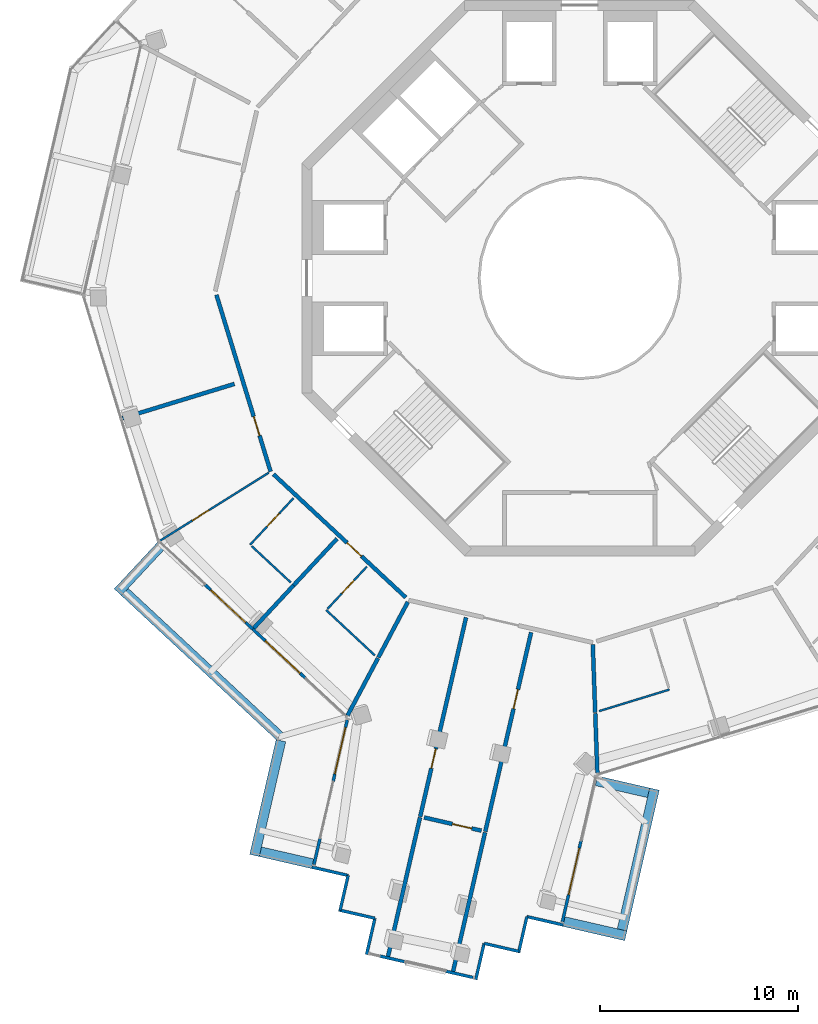
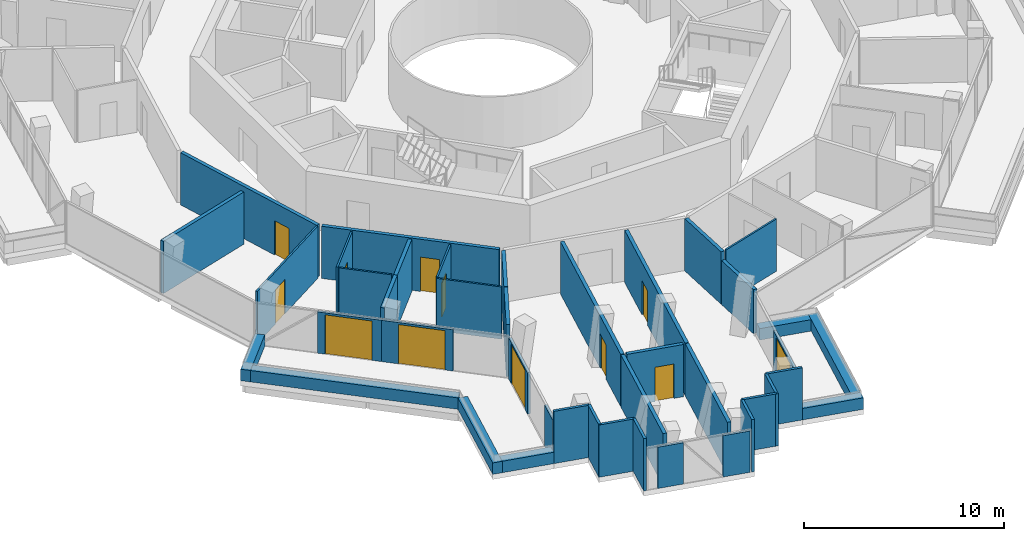
# One storey, part 14 of 21: 42 walls, 12 doors, 12 openings.
"""IFC4 building model written with IfcOpenShell, lengths in metres."""

from ifc_helpers import new_model, si_unit, direction, frame, frame_2d, origin, place, context, subcontext, project, spatial, rectangle, extrude, material, layer, layer_set, type_object, element, fill, save


model = new_model("IFC4")

# Units and contexts
model_context = context("Model", 3, precision=1e-05, world=origin(), true_north=direction((0.0, 1.0)))
body_context = subcontext(model_context, "Body", "Model", "MODEL_VIEW")
ifc_project = project(units=[si_unit("LENGTHUNIT", "METRE"), si_unit("AREAUNIT", "SQUARE_METRE"), si_unit("VOLUMEUNIT", "CUBIC_METRE"), si_unit("PLANEANGLEUNIT", "RADIAN"), si_unit("MASSUNIT", "GRAM", prefix="KILO")], contexts=[model_context])

# Site, building, storey
site_placement = place(None, origin())
site = spatial("IfcSite", under=ifc_project, at=site_placement, CompositionType="ELEMENT")
building_placement = place(site_placement, origin())
building = spatial("IfcBuilding", under=site, at=building_placement, Name="Verdalira Terraces Hotel", CompositionType="ELEMENT")
storey_placement = place(building_placement, frame((0.0, 0.0, 227.0)))
storey = spatial("IfcBuildingStorey", under=building, at=storey_placement, Name="L55", CompositionType="ELEMENT", Elevation=227.0)

# Walls
ifc_material_1 = material(Name="Concrete C40", Category="concrete")
ifc_layer_1 = layer(ifc_material_1, 0.5)
ifc_layer_set_1 = layer_set([ifc_layer_1], Name="Balcony planter trough with tree")
wall_type_1 = type_object("IfcWallType", Name="Balcony planter trough with tree", PredefinedType="SOLIDWALL", material=ifc_layer_set_1)
wall_1_placement = place(storey_placement, frame((-21.106445, -13.494385, 0.0), z_axis=(0.0, 0.0, 1.0), x_axis=(-0.681472097, -0.731844096, 0.0)))
element("IfcWall", 1, at=wall_1_placement, inside=storey, type_object=wall_type_1, Name="Balcony planter", PredefinedType="SOLIDWALL", context=body_context, shape_type="SweptSolid", body=[
    extrude(rectangle(XDim=3.198975, YDim=0.5, at=frame_2d((1.599609, 0.0))), origin(), (0.0, 0.0, 1.0), 0.699951),
])
wall_2_placement = place(storey_placement, frame((-22.933105, -15.822998, 0.0), z_axis=(0.0, 0.0, 1.0), x_axis=(0.731834456, -0.681482449, 0.0)))
element("IfcWall", 2, at=wall_2_placement, inside=storey, type_object=wall_type_1, Name="Balcony planter", PredefinedType="SOLIDWALL", context=body_context, shape_type="SweptSolid", body=[
    extrude(rectangle(XDim=10.652588, YDim=0.5, at=frame_2d((5.326172, 0.0))), origin(), (0.0, 0.0, 1.0), 0.699951),
])
wall_3_placement = place(storey_placement, frame((-15.063965, -23.321533, 0.0), z_axis=(0.0, 0.0, 1.0), x_axis=(-0.224279724, -0.97452481, 0.0)))
element("IfcWall", 3, at=wall_3_placement, inside=storey, type_object=wall_type_1, Name="Balcony planter", PredefinedType="SOLIDWALL", context=body_context, shape_type="SweptSolid", body=[
    extrude(rectangle(XDim=5.935791, YDim=0.5, at=frame_2d((2.967773, 0.0))), origin(), (0.0, 0.0, 1.0), 0.699951),
])
wall_4_placement = place(storey_placement, frame((-16.095703, -28.918701, 0.0), z_axis=(0.0, 0.0, 1.0), x_axis=(0.974535819, -0.224231882, 0.0)))
element("IfcWall", 4, at=wall_4_placement, inside=storey, type_object=wall_type_1, Name="Balcony planter", PredefinedType="SOLIDWALL", context=body_context, shape_type="SweptSolid", body=[
    extrude(rectangle(XDim=2.699219, YDim=0.5, at=frame_2d((1.349609, 0.0))), origin(), (0.0, 0.0, 1.0), 0.699951),
])
wall_5_placement = place(storey_placement, frame((-0.794678, -32.439941, 0.0), z_axis=(0.0, 0.0, 1.0), x_axis=(0.974523503, -0.224285401, 0.0)))
element("IfcWall", 5, at=wall_5_placement, inside=storey, type_object=wall_type_1, Name="Balcony planter", PredefinedType="SOLIDWALL", context=body_context, shape_type="SweptSolid", body=[
    extrude(rectangle(XDim=3.199219, YDim=0.5, at=frame_2d((1.599609, 0.0))), origin(), (0.0, 0.0, 1.0), 0.699951),
])
wall_6_placement = place(storey_placement, frame((2.135254, -32.857666, 0.0), z_axis=(0.0, 0.0, 1.0), x_axis=(0.22428172, 0.974524351, 0.0)))
element("IfcWall", 6, at=wall_6_placement, inside=storey, type_object=wall_type_1, Name="Balcony planter", PredefinedType="SOLIDWALL", context=body_context, shape_type="SweptSolid", body=[
    extrude(rectangle(XDim=7.283447, YDim=0.5, at=frame_2d((3.641602, 0.0))), origin(), (0.0, 0.0, 1.0), 0.699951),
])
wall_7_placement = place(storey_placement, frame((3.469238, -25.947266, 0.0), z_axis=(0.0, 0.0, 1.0), x_axis=(-0.974535819, 0.224231882, 0.0)))
element("IfcWall", 7, at=wall_7_placement, inside=storey, type_object=wall_type_1, Name="Balcony planter", PredefinedType="SOLIDWALL", context=body_context, shape_type="SweptSolid", body=[
    extrude(rectangle(XDim=2.699219, YDim=0.5, at=frame_2d((1.349609, 0.0))), origin(), (0.0, 0.0, 1.0), 0.699951),
])

# Wall, opening, door
ifc_material_2 = material(Name="Moisture-resistant gypsum board partition")
ifc_layer_2 = layer(ifc_material_2, 0.10009765625)
ifc_layer_set_2 = layer_set([ifc_layer_2], Name="Bathroom partition 100 mm")
wall_type_2 = type_object("IfcWallType", Name="Bathroom partition 100 mm", PredefinedType="PARTITIONING", material=ifc_layer_set_2)
wall_8_placement = place(storey_placement, frame((-15.672119, -9.80835, 0.0), z_axis=(0.0, 0.0, 1.0), x_axis=(-0.847695291, -0.530483453, 0.0)))
wall_8 = element("IfcWall", 8, at=wall_8_placement, inside=storey, type_object=wall_type_2, Name="Bathroom partition", PredefinedType="PARTITIONING", context=body_context, shape_type="SweptSolid", body=[
    extrude(rectangle(XDim=6.47583, YDim=0.100098, at=frame_2d((3.237793, 0.0))), origin(), (0.0, 0.0, 1.0), 3.189941),
])
opening_1_placement = place(wall_8_placement, frame((3.550049, 0.0, 0.0)))
opening_1 = element("IfcOpeningElement", 9, at=opening_1_placement, cuts=wall_8, Name="Opening L55-107", PredefinedType="OPENING", context=body_context, shape_type="SweptSolid", body=[
    extrude(rectangle(XDim=1.0, YDim=2.100098, at=frame_2d((0.5, 1.050049))), frame((0.0, 0.060059, 0.0), z_axis=(0.0, -1.0, 0.0), x_axis=(1.0, 0.0, 0.0)), (0.0, 0.0, 1.0), 0.120117),
])
ifc_material_3 = material(Name="Timber door", Category="wood")
door_type_1 = type_object("IfcDoorType", Name="Suite internal door 1000 x 2100", OperationType="NOTDEFINED", PredefinedType="DOOR", material=ifc_material_3)
door_1_placement = place(opening_1_placement, origin())
door_1 = element("IfcDoor", 10, at=door_1_placement, inside=storey, type_object=door_type_1, Name="Suite internal door 5503", OperationType="SINGLE_SWING_LEFT", OverallHeight=2.10009765625, OverallWidth=1.0, PredefinedType="DOOR", context=body_context, shape_type="SweptSolid", body=[
    extrude(rectangle(XDim=1.0, YDim=2.100098, at=frame_2d((0.5, 1.050049))), frame((0.0, 0.024902, 0.0), z_axis=(0.0, -1.0, 0.0), x_axis=(1.0, 0.0, 0.0)), (0.0, 0.0, 1.0), 0.050049),
])
fill(opening_1, door_1)

# Wall
wall_9_placement = place(storey_placement, frame((-16.541504, -13.508057, 0.0), z_axis=(0.0, 0.0, 1.0), x_axis=(0.731884644, -0.681428549, 0.0)))
element("IfcWall", 11, at=wall_9_placement, inside=storey, type_object=wall_type_2, Name="Bathroom partition", PredefinedType="PARTITIONING", context=body_context, shape_type="SweptSolid", body=[
    extrude(rectangle(XDim=2.699951, YDim=0.100098, at=frame_2d((1.350098, 0.0))), origin(), (0.0, 0.0, 1.0), 3.189941),
])

# Wall, opening, door
wall_10_placement = place(storey_placement, frame((-14.433838, -11.0979, 0.0), z_axis=(0.0, 0.0, 1.0), x_axis=(-0.681480535, -0.731836239, 0.0)))
wall_10 = element("IfcWall", 12, at=wall_10_placement, inside=storey, type_object=wall_type_2, Name="Bathroom partition", PredefinedType="PARTITIONING", context=body_context, shape_type="SweptSolid", body=[
    extrude(rectangle(XDim=3.199951, YDim=0.100098, at=frame_2d((1.600098, 0.0))), origin(), (0.0, 0.0, 1.0), 3.189941),
])
opening_2_placement = place(wall_10_placement, frame((1.050049, 0.0, 0.0)))
opening_2 = element("IfcOpeningElement", 13, at=opening_2_placement, cuts=wall_10, Name="Opening L55-108", PredefinedType="OPENING", context=body_context, shape_type="SweptSolid", body=[
    extrude(rectangle(XDim=0.899902, YDim=2.100098, at=frame_2d((0.449951, 1.050049))), frame((0.0, 0.060059, 0.0), z_axis=(0.0, -1.0, 0.0), x_axis=(1.0, 0.0, 0.0)), (0.0, 0.0, 1.0), 0.120117),
])
ifc_material_4 = material(Name="Timber door", Category="wood")
door_type_2 = type_object("IfcDoorType", Name="Bathroom door 900 x 2100", OperationType="NOTDEFINED", PredefinedType="DOOR", material=ifc_material_4)
door_2_placement = place(opening_2_placement, origin())
door_2 = element("IfcDoor", 14, at=door_2_placement, inside=storey, type_object=door_type_2, Name="Bathroom door 5503", OperationType="SINGLE_SWING_RIGHT", OverallHeight=2.10009765625, OverallWidth=0.89990234375, PredefinedType="DOOR", context=body_context, shape_type="SweptSolid", body=[
    extrude(rectangle(XDim=0.899902, YDim=2.100098, at=frame_2d((0.449951, 1.050049))), frame((0.0, 0.024902, 0.0), z_axis=(0.0, -1.0, 0.0), x_axis=(1.0, 0.0, 0.0)), (0.0, 0.0, 1.0), 0.050049),
])
fill(opening_2, door_2)

wall_11_placement = place(storey_placement, frame((-10.731934, -14.545166, 0.0), z_axis=(0.0, 0.0, 1.0), x_axis=(-0.681486946, -0.731830269, 0.0)))
wall_11 = element("IfcWall", 15, at=wall_11_placement, inside=storey, type_object=wall_type_2, Name="Bathroom partition", PredefinedType="PARTITIONING", context=body_context, shape_type="SweptSolid", body=[
    extrude(rectangle(XDim=2.899902, YDim=0.100098, at=frame_2d((1.449951, 0.0))), origin(), (0.0, 0.0, 1.0), 3.189941),
])
opening_3_placement = place(wall_11_placement, frame((0.949951, 0.0, 0.0)))
opening_3 = element("IfcOpeningElement", 16, at=opening_3_placement, cuts=wall_11, Name="Opening L55-110", PredefinedType="OPENING", context=body_context, shape_type="SweptSolid", body=[
    extrude(rectangle(XDim=0.899902, YDim=2.100098, at=frame_2d((0.449951, 1.050049))), frame((0.0, 0.060059, 0.0), z_axis=(0.0, -1.0, 0.0), x_axis=(1.0, 0.0, 0.0)), (0.0, 0.0, 1.0), 0.120117),
])
door_3_placement = place(opening_3_placement, origin())
door_3 = element("IfcDoor", 17, at=door_3_placement, inside=storey, type_object=door_type_2, Name="Bathroom door 5504", OperationType="SINGLE_SWING_RIGHT", OverallHeight=2.10009765625, OverallWidth=0.89990234375, PredefinedType="DOOR", context=body_context, shape_type="SweptSolid", body=[
    extrude(rectangle(XDim=0.899902, YDim=2.100098, at=frame_2d((0.449951, 1.050049))), frame((0.0, 0.024902, 0.0), z_axis=(0.0, -1.0, 0.0), x_axis=(1.0, 0.0, 0.0)), (0.0, 0.0, 1.0), 0.050049),
])
fill(opening_3, door_3)

# Walls
wall_12_placement = place(storey_placement, frame((-10.324707, -19.023926, 0.0), z_axis=(0.0, 0.0, 1.0), x_axis=(-0.731835072, 0.681481788, 0.0)))
element("IfcWall", 18, at=wall_12_placement, inside=storey, type_object=wall_type_2, Name="Bathroom partition", PredefinedType="PARTITIONING", context=body_context, shape_type="SweptSolid", body=[
    extrude(rectangle(XDim=3.350342, YDim=0.100098, at=frame_2d((1.675293, 0.0))), origin(), (0.0, 0.0, 1.0), 3.189941),
])
wall_13_placement = place(storey_placement, frame((0.977783, -21.830078, 0.0), z_axis=(0.0, 0.0, 1.0), x_axis=(0.956094847, 0.293057407, 0.0)))
element("IfcWall", 19, at=wall_13_placement, inside=storey, type_object=wall_type_2, Name="Bathroom partition", PredefinedType="PARTITIONING", context=body_context, shape_type="SweptSolid", body=[
    extrude(rectangle(XDim=3.703857, YDim=0.100098, at=frame_2d((1.852051, 0.0))), origin(), (0.0, 0.0, 1.0), 3.189941),
])
ifc_material_5 = material(Name="Fire-rated gypsum board wall")
ifc_layer_3 = layer(ifc_material_5, 0.199951171875)
ifc_layer_set_3 = layer_set([ifc_layer_3], Name="Demising wall 200 mm")
wall_type_3 = type_object("IfcWallType", Name="Demising wall 200 mm", PredefinedType="SOLIDWALL", material=ifc_layer_set_3)
wall_14_placement = place(storey_placement, frame((-17.406494, -5.334961, 0.0), z_axis=(0.0, 0.0, 1.0), x_axis=(-0.956095937, -0.293053849, 0.0)))
element("IfcWall", 20, at=wall_14_placement, inside=storey, type_object=wall_type_3, Name="Demising wall", PredefinedType="SOLIDWALL", context=body_context, shape_type="SweptSolid", body=[
    extrude(rectangle(XDim=5.902344, YDim=0.199951, at=frame_2d((2.951172, 0.0))), origin(), (0.0, 0.0, 1.0), 3.189941),
])
wall_15_placement = place(storey_placement, frame((-14.419189, -15.484375, 0.0), z_axis=(0.0, 0.0, 1.0), x_axis=(-0.681456745, -0.731858391, 0.0)))
element("IfcWall", 21, at=wall_15_placement, inside=storey, type_object=wall_type_3, Name="Demising wall", PredefinedType="SOLIDWALL", context=body_context, shape_type="SweptSolid", body=[
    extrude(rectangle(XDim=2.949951, YDim=0.199951, at=frame_2d((1.475098, 0.0))), origin(), (0.0, 0.0, 1.0), 3.189941),
])
wall_16_placement = place(storey_placement, frame((-12.238281, -13.142334, 0.0), z_axis=(0.0, 0.0, 1.0), x_axis=(-0.681483346, -0.731833621, 0.0)))
element("IfcWall", 22, at=wall_16_placement, inside=storey, type_object=wall_type_3, Name="Demising wall", PredefinedType="SOLIDWALL", context=body_context, shape_type="SweptSolid", body=[
    extrude(rectangle(XDim=3.200195, YDim=0.199951, at=frame_2d((1.600098, 0.0))), origin(), (0.0, 0.0, 1.0), 3.189941),
])
wall_17_placement = place(storey_placement, frame((-11.70459, -22.050049, 0.0), z_axis=(0.0, 0.0, 1.0), x_axis=(0.468862108, 0.883271376, 0.0)))
element("IfcWall", 23, at=wall_17_placement, inside=storey, type_object=wall_type_3, Name="Demising wall", PredefinedType="SOLIDWALL", context=body_context, shape_type="SweptSolid", body=[
    extrude(rectangle(XDim=3.268555, YDim=0.199951, at=frame_2d((1.634277, 0.0))), origin(), (0.0, 0.0, 1.0), 3.189941),
])
wall_18_placement = place(storey_placement, frame((-10.150635, -19.122559, 0.0), z_axis=(0.0, 0.0, 1.0), x_axis=(0.468919942, 0.883240674, 0.0)))
element("IfcWall", 24, at=wall_18_placement, inside=storey, type_object=wall_type_3, Name="Demising wall", PredefinedType="SOLIDWALL", context=body_context, shape_type="SweptSolid", body=[
    extrude(rectangle(XDim=3.161377, YDim=0.199951, at=frame_2d((1.580566, 0.0))), origin(), (0.0, 0.0, 1.0), 3.189941),
])
wall_19_placement = place(storey_placement, frame((-8.052002, -27.193115, 0.0), z_axis=(0.0, 0.0, 1.0), x_axis=(-0.224273862, -0.974526159, 0.0)))
element("IfcWall", 25, at=wall_19_placement, inside=storey, type_object=wall_type_3, Name="Demising wall", PredefinedType="SOLIDWALL", context=body_context, shape_type="SweptSolid", body=[
    extrude(rectangle(XDim=7.185791, YDim=0.199951, at=frame_2d((3.592773, 0.0))), origin(), (0.0, 0.0, 1.0), 3.189941),
])

# Wall, opening, door
wall_20_placement = place(storey_placement, frame((-8.041748, -27.148438, 0.0), z_axis=(0.0, 0.0, 1.0), x_axis=(0.224281387, 0.974524427, 0.0)))
wall_20 = element("IfcWall", 26, at=wall_20_placement, inside=storey, type_object=wall_type_3, Name="Demising wall", PredefinedType="SOLIDWALL", context=body_context, shape_type="SweptSolid", body=[
    extrude(rectangle(XDim=10.302002, YDim=0.199951, at=frame_2d((5.150879, 0.0))), origin(), (0.0, 0.0, 1.0), 3.189941),
])
opening_4_placement = place(wall_20_placement, frame((2.5, 0.0, 0.0)))
opening_4 = element("IfcOpeningElement", 27, at=opening_4_placement, cuts=wall_20, Name="Opening L55-112", PredefinedType="OPENING", context=body_context, shape_type="SweptSolid", body=[
    extrude(rectangle(XDim=1.0, YDim=2.100098, at=frame_2d((0.5, 1.050049))), frame((0.0, 0.109863, 0.0), z_axis=(0.0, -1.0, 0.0), x_axis=(1.0, 0.0, 0.0)), (0.0, 0.0, 1.0), 0.219971),
])
ifc_material_6 = material(Name="Timber fire door", Category="wood")
door_type_3 = type_object("IfcDoorType", Name="Public room door 1000 x 2100", OperationType="NOTDEFINED", PredefinedType="DOOR", material=ifc_material_6)
door_4_placement = place(opening_4_placement, origin())
door_4 = element("IfcDoor", 28, at=door_4_placement, inside=storey, type_object=door_type_3, Name="Public room door 5505", OperationType="SINGLE_SWING_LEFT", OverallHeight=2.10009765625, OverallWidth=1.0, PredefinedType="DOOR", context=body_context, shape_type="SweptSolid", body=[
    extrude(rectangle(XDim=1.0, YDim=2.100098, at=frame_2d((0.5, 1.050049))), frame((0.0, 0.024902, 0.0), z_axis=(0.0, -1.0, 0.0), x_axis=(1.0, 0.0, 0.0)), (0.0, 0.0, 1.0), 0.050049),
])
fill(opening_4, door_4)

wall_21_placement = place(storey_placement, frame((-4.956787, -27.856201, 0.0), z_axis=(0.0, 0.0, 1.0), x_axis=(-0.974538096, 0.224221989, 0.0)))
wall_21 = element("IfcWall", 29, at=wall_21_placement, inside=storey, type_object=wall_type_3, Name="Demising wall", PredefinedType="SOLIDWALL", context=body_context, shape_type="SweptSolid", body=[
    extrude(rectangle(XDim=2.964844, YDim=0.199951, at=frame_2d((1.482422, 0.0))), origin(), (0.0, 0.0, 1.0), 3.189941),
])
opening_5_placement = place(wall_21_placement, frame((0.5, 0.0, 0.0)))
opening_5 = element("IfcOpeningElement", 30, at=opening_5_placement, cuts=wall_21, Name="Opening L55-114", PredefinedType="OPENING", context=body_context, shape_type="SweptSolid", body=[
    extrude(rectangle(XDim=1.0, YDim=2.100098, at=frame_2d((0.5, 1.050049))), frame((0.0, 0.109863, 0.0), z_axis=(0.0, -1.0, 0.0), x_axis=(1.0, 0.0, 0.0)), (0.0, 0.0, 1.0), 0.219971),
])
door_5_placement = place(opening_5_placement, origin())
door_5 = element("IfcDoor", 31, at=door_5_placement, inside=storey, type_object=door_type_3, Name="Public room door 5505", OperationType="SINGLE_SWING_LEFT", OverallHeight=2.10009765625, OverallWidth=1.0, PredefinedType="DOOR", context=body_context, shape_type="SweptSolid", body=[
    extrude(rectangle(XDim=1.0, YDim=2.100098, at=frame_2d((0.5, 1.050049))), frame((0.0, 0.024902, 0.0), z_axis=(0.0, -1.0, 0.0), x_axis=(1.0, 0.0, 0.0)), (0.0, 0.0, 1.0), 0.050049),
])
fill(opening_5, door_5)

# Wall
wall_22_placement = place(storey_placement, frame((-6.384277, -34.950439, 0.0), z_axis=(0.0, 0.0, 1.0), x_axis=(0.224281288, 0.97452445, 0.0)))
element("IfcWall", 32, at=wall_22_placement, inside=storey, type_object=wall_type_3, Name="Demising wall", PredefinedType="SOLIDWALL", context=body_context, shape_type="SweptSolid", body=[
    extrude(rectangle(XDim=7.185547, YDim=0.199951, at=frame_2d((3.592773, 0.0))), origin(), (0.0, 0.0, 1.0), 3.189941),
])

# Wall, opening, door
wall_23_placement = place(storey_placement, frame((-2.451904, -17.863525, 0.0), z_axis=(0.0, 0.0, 1.0), x_axis=(-0.224281387, -0.974524427, 0.0)))
wall_23 = element("IfcWall", 33, at=wall_23_placement, inside=storey, type_object=wall_type_3, Name="Demising wall", PredefinedType="SOLIDWALL", context=body_context, shape_type="SweptSolid", body=[
    extrude(rectangle(XDim=10.302002, YDim=0.199951, at=frame_2d((5.150879, 0.0))), origin(), (0.0, 0.0, 1.0), 3.189941),
])
opening_6_placement = place(wall_23_placement, frame((2.949951, 0.0, 0.0)))
opening_6 = element("IfcOpeningElement", 34, at=opening_6_placement, cuts=wall_23, Name="Opening L55-113", PredefinedType="OPENING", context=body_context, shape_type="SweptSolid", body=[
    extrude(rectangle(XDim=1.0, YDim=2.100098, at=frame_2d((0.5, 1.050049))), frame((0.0, 0.109863, 0.0), z_axis=(0.0, -1.0, 0.0), x_axis=(1.0, 0.0, 0.0)), (0.0, 0.0, 1.0), 0.219971),
])
door_6_placement = place(opening_6_placement, origin())
door_6 = element("IfcDoor", 35, at=door_6_placement, inside=storey, type_object=door_type_3, Name="Public room door 5505", OperationType="SINGLE_SWING_LEFT", OverallHeight=2.10009765625, OverallWidth=1.0, PredefinedType="DOOR", context=body_context, shape_type="SweptSolid", body=[
    extrude(rectangle(XDim=1.0, YDim=2.100098, at=frame_2d((0.5, 1.050049))), frame((0.0, 0.024902, 0.0), z_axis=(0.0, -1.0, 0.0), x_axis=(1.0, 0.0, 0.0)), (0.0, 0.0, 1.0), 0.050049),
])
fill(opening_6, door_6)

# Walls
wall_24_placement = place(storey_placement, frame((0.658203, -18.476562, 0.0), z_axis=(0.0, 0.0, 1.0), x_axis=(0.035566706, -0.999367305, 0.0)))
element("IfcWall", 36, at=wall_24_placement, inside=storey, type_object=wall_type_3, Name="Demising wall", PredefinedType="SOLIDWALL", context=body_context, shape_type="SweptSolid", body=[
    extrude(rectangle(XDim=3.418457, YDim=0.199951, at=frame_2d((1.709229, 0.0))), origin(), (0.0, 0.0, 1.0), 3.189941),
])
ifc_material_7 = material(Name="Fire-rated gypsum board wall")
ifc_layer_4 = layer(ifc_material_7, 0.199951171875)
ifc_layer_set_4 = layer_set([ifc_layer_4], Name="Demising wall 200 mm to beam soffit")
wall_type_4 = type_object("IfcWallType", Name="Demising wall 200 mm to beam soffit", PredefinedType="SOLIDWALL", material=ifc_layer_set_4)
wall_25_placement = place(storey_placement, frame((0.781494, -21.938721, 0.0), z_axis=(0.0, 0.0, 1.0), x_axis=(0.03559032, -0.999366464, 0.0)))
element("IfcWall", 37, at=wall_25_placement, inside=storey, type_object=wall_type_4, Name="Demising wall", PredefinedType="SOLIDWALL", context=body_context, shape_type="SweptSolid", body=[
    extrude(rectangle(XDim=3.011475, YDim=0.199951, at=frame_2d((1.505859, 0.0))), origin(), (0.0, 0.0, 1.0), 2.689941),
])

# Wall, opening, door
ifc_material_8 = material(Name="Fire-rated gypsum board wall")
ifc_layer_5 = layer(ifc_material_8, 0.199951171875)
ifc_layer_set_5 = layer_set([ifc_layer_5], Name="Guest corridor wall 200 mm")
wall_type_5 = type_object("IfcWallType", Name="Guest corridor wall 200 mm", PredefinedType="SOLIDWALL", material=ifc_layer_set_5)
wall_26_placement = place(storey_placement, frame((-15.584473, -9.753418, 0.0), z_axis=(0.0, 0.0, 1.0), x_axis=(-0.293036013, 0.956101404, 0.0)))
wall_26 = element("IfcWall", 38, at=wall_26_placement, inside=storey, type_object=wall_type_5, Name="Guest corridor wall", PredefinedType="SOLIDWALL", context=body_context, shape_type="SweptSolid", body=[
    extrude(rectangle(XDim=9.316162, YDim=0.199951, at=frame_2d((4.658203, 0.0))), origin(), (0.0, 0.0, 1.0), 3.189941),
])
opening_7_placement = place(wall_26_placement, frame((1.899902, 0.0, 0.0)))
opening_7 = element("IfcOpeningElement", 39, at=opening_7_placement, cuts=wall_26, Name="Opening L55-106", PredefinedType="OPENING", context=body_context, shape_type="SweptSolid", body=[
    extrude(rectangle(XDim=1.0, YDim=2.100098, at=frame_2d((0.5, 1.050049))), frame((0.0, 0.109863, 0.0), z_axis=(0.0, -1.0, 0.0), x_axis=(1.0, 0.0, 0.0)), (0.0, 0.0, 1.0), 0.219971),
])
ifc_material_9 = material(Name="Timber fire door", Category="wood")
door_type_4 = type_object("IfcDoorType", Name="Guest entry door 1000 x 2100", OperationType="NOTDEFINED", PredefinedType="DOOR", material=ifc_material_9)
door_7_placement = place(opening_7_placement, origin())
door_7 = element("IfcDoor", 40, at=door_7_placement, inside=storey, type_object=door_type_4, Name="Guest entry door 5503", OperationType="SINGLE_SWING_LEFT", OverallHeight=2.10009765625, OverallWidth=1.0, PredefinedType="DOOR", context=body_context, shape_type="SweptSolid", body=[
    extrude(rectangle(XDim=1.0, YDim=2.100098, at=frame_2d((0.5, 1.050049))), frame((0.0, 0.024902, 0.0), z_axis=(0.0, -1.0, 0.0), x_axis=(1.0, 0.0, 0.0)), (0.0, 0.0, 1.0), 0.050049),
])
fill(opening_7, door_7)

wall_27_placement = place(storey_placement, frame((-8.766113, -16.102539, 0.0), z_axis=(0.0, 0.0, 1.0), x_axis=(-0.731831338, 0.681485798, 0.0)))
wall_27 = element("IfcWall", 41, at=wall_27_placement, inside=storey, type_object=wall_type_5, Name="Guest corridor wall", PredefinedType="SOLIDWALL", context=body_context, shape_type="SweptSolid", body=[
    extrude(rectangle(XDim=9.116699, YDim=0.199951, at=frame_2d((4.55835, 0.0))), origin(), (0.0, 0.0, 1.0), 3.189941),
])
opening_8_placement = place(wall_27_placement, frame((3.050049, 0.0, 0.0)))
opening_8 = element("IfcOpeningElement", 42, at=opening_8_placement, cuts=wall_27, Name="Opening L55-109", PredefinedType="OPENING", context=body_context, shape_type="SweptSolid", body=[
    extrude(rectangle(XDim=1.0, YDim=2.100098, at=frame_2d((0.5, 1.050049))), frame((0.0, 0.109863, 0.0), z_axis=(0.0, -1.0, 0.0), x_axis=(1.0, 0.0, 0.0)), (0.0, 0.0, 1.0), 0.219971),
])
door_8_placement = place(opening_8_placement, origin())
door_8 = element("IfcDoor", 43, at=door_8_placement, inside=storey, type_object=door_type_4, Name="Guest entry door 5504", OperationType="SINGLE_SWING_RIGHT", OverallHeight=2.10009765625, OverallWidth=1.0, PredefinedType="DOOR", context=body_context, shape_type="SweptSolid", body=[
    extrude(rectangle(XDim=1.0, YDim=2.100098, at=frame_2d((0.5, 1.050049))), frame((0.0, 0.024902, 0.0), z_axis=(0.0, -1.0, 0.0), x_axis=(1.0, 0.0, 0.0)), (0.0, 0.0, 1.0), 0.050049),
])
fill(opening_8, door_8)

# Walls
ifc_material_10 = material(Name="Terracotta cladding", Category="masonry")
ifc_layer_6 = layer(ifc_material_10, 0.14990234375)
ifc_layer_set_6 = layer_set([ifc_layer_6], Name="Terracotta clad wall 150")
wall_type_6 = type_object("IfcWallType", Name="Terracotta clad wall 150", PredefinedType="SOLIDWALL", material=ifc_layer_set_6)
wall_28_placement = place(storey_placement, frame((-13.503662, -29.694824, 0.0), z_axis=(0.0, 0.0, 1.0), x_axis=(0.97453584, -0.22423179, 0.0)))
element("IfcWall", 44, at=wall_28_placement, inside=storey, type_object=wall_type_6, Name="Terracotta cladding wall", PredefinedType="SOLIDWALL", context=body_context, shape_type="SweptSolid", body=[
    extrude(rectangle(XDim=1.875, YDim=0.149902, at=frame_2d((0.9375, 0.0))), origin(), (0.0, 0.0, 1.0), 3.189941),
])
wall_29_placement = place(storey_placement, frame((-11.676514, -30.115234, 0.0), z_axis=(0.0, 0.0, 1.0), x_axis=(-0.224205662, -0.974541852, 0.0)))
element("IfcWall", 45, at=wall_29_placement, inside=storey, type_object=wall_type_6, Name="Terracotta cladding wall", PredefinedType="SOLIDWALL", context=body_context, shape_type="SweptSolid", body=[
    extrude(rectangle(XDim=1.800049, YDim=0.149902, at=frame_2d((0.899902, 0.0))), origin(), (0.0, 0.0, 1.0), 3.189941),
])
for number, where, z_axis, x_axis, name in (
    (46, (-12.153076, -31.852539, 0.0), (0.0, 0.0, 1.0), (0.974507378, -0.224355453, 0.0), "Terracotta cladding wall"),
    (47, (-10.325928, -32.273193, 0.0), (0.0, 0.0, 1.0), (-0.224355453, -0.974507378, 0.0), "Terracotta cladding wall"),
    (48, (-5.240479, -35.367432, 0.0), (0.0, 0.0, 1.0), (0.224355453, 0.974507378, 0.0), "Terracotta cladding wall"),
):
    element("IfcWall", number, at=place(storey_placement, frame(where, z_axis=z_axis, x_axis=x_axis)), inside=storey, type_object=wall_type_6, Name=name, PredefinedType="SOLIDWALL", context=body_context, shape_type="SweptSolid", body=[
        extrude(rectangle(XDim=1.875, YDim=0.149902, at=frame_2d((0.9375, 0.0))), origin(), (0.0, 0.0, 1.0), 3.189941),
    ])
wall_30_placement = place(storey_placement, frame((-4.819824, -33.540283, 0.0), z_axis=(0.0, 0.0, 1.0), x_axis=(0.974541852, -0.224205662, 0.0)))
element("IfcWall", 49, at=wall_30_placement, inside=storey, type_object=wall_type_6, Name="Terracotta cladding wall", PredefinedType="SOLIDWALL", context=body_context, shape_type="SweptSolid", body=[
    extrude(rectangle(XDim=1.800049, YDim=0.149902, at=frame_2d((0.899902, 0.0))), origin(), (0.0, 0.0, 1.0), 3.189941),
])
for number, where, z_axis, x_axis, name in (
    (50, (-3.08252, -34.01709, 0.0), (0.0, 0.0, 1.0), (0.224203339, 0.974542386, 0.0), "Terracotta cladding wall"),
    (51, (-2.662109, -32.189697, 0.0), (0.0, 0.0, 1.0), (0.974513931, -0.224326988, 0.0), "Terracotta cladding wall"),
):
    element("IfcWall", number, at=place(storey_placement, frame(where, z_axis=z_axis, x_axis=x_axis)), inside=storey, type_object=wall_type_6, Name=name, PredefinedType="SOLIDWALL", context=body_context, shape_type="SweptSolid", body=[
        extrude(rectangle(XDim=1.875244, YDim=0.149902, at=frame_2d((0.9375, 0.0))), origin(), (0.0, 0.0, 1.0), 3.189941),
    ])
ifc_material_11 = material(Name="Terracotta cladding", Category="masonry")
ifc_layer_7 = layer(ifc_material_11, 0.14990234375)
ifc_layer_set_7 = layer_set([ifc_layer_7], Name="Terracotta column pier 150")
wall_type_7 = type_object("IfcWallType", Name="Terracotta column pier 150", PredefinedType="SOLIDWALL", material=ifc_layer_set_7)
wall_31_placement = place(storey_placement, frame((-13.088623, -28.225342, 0.0), z_axis=(0.0, 0.0, 1.0), x_axis=(-0.224135932, -0.974557892, 0.0)))
element("IfcWall", 52, at=wall_31_placement, inside=storey, type_object=wall_type_7, Name="Terracotta column pier", PredefinedType="SOLIDWALL", context=body_context, shape_type="SweptSolid", body=[
    extrude(rectangle(XDim=1.380127, YDim=0.149902, at=frame_2d((0.689941, 0.0))), origin(), (0.0, 0.0, 1.0), 2.524902),
])
wall_32_placement = place(storey_placement, frame((-10.081543, -34.176514, 0.0), z_axis=(0.0, 0.0, 1.0), x_axis=(0.974532807, -0.224244974, 0.0)))
element("IfcWall", 53, at=wall_32_placement, inside=storey, type_object=wall_type_7, Name="Terracotta column pier", PredefinedType="SOLIDWALL", context=body_context, shape_type="SweptSolid", body=[
    extrude(rectangle(XDim=1.334717, YDim=0.149902, at=frame_2d((0.66748, 0.0))), origin(), (0.0, 0.0, 1.0), 2.524902),
])
wall_33_placement = place(storey_placement, frame((-6.748779, -34.943359, 0.0), z_axis=(0.0, 0.0, 1.0), x_axis=(0.974504865, -0.224366371, 0.0)))
element("IfcWall", 54, at=wall_33_placement, inside=storey, type_object=wall_type_7, Name="Terracotta column pier", PredefinedType="SOLIDWALL", context=body_context, shape_type="SweptSolid", body=[
    extrude(rectangle(XDim=1.410156, YDim=0.149902, at=frame_2d((0.705078, 0.0))), origin(), (0.0, 0.0, 1.0), 2.524902),
])

# Wall, opening, door
ifc_material_12 = material(Name="Terracotta cladding", Category="masonry")
ifc_layer_8 = layer(ifc_material_12, 0.14990234375)
ifc_layer_set_8 = layer_set([ifc_layer_8], Name="Terracotta door pier 150")
wall_type_8 = type_object("IfcWallType", Name="Terracotta door pier 150", PredefinedType="SOLIDWALL", material=ifc_layer_set_8)
wall_34_placement = place(storey_placement, frame((-18.895752, -15.449219, 0.0), z_axis=(0.0, 0.0, 1.0), x_axis=(0.731849441, -0.681466357, 0.0)))
wall_34 = element("IfcWall", 55, at=wall_34_placement, inside=storey, type_object=wall_type_8, Name="Terracotta door pier", PredefinedType="SOLIDWALL", context=body_context, shape_type="SweptSolid", body=[
    extrude(rectangle(XDim=3.299805, YDim=0.149902, at=frame_2d((1.649902, 0.0))), origin(), (0.0, 0.0, 1.0), 2.524902),
])
opening_9_placement = place(wall_34_placement, frame((0.399902, 0.0, 0.0)))
opening_9 = element("IfcOpeningElement", 56, at=opening_9_placement, cuts=wall_34, Name="Opening L55-B04", PredefinedType="OPENING", context=body_context, shape_type="SweptSolid", body=[
    extrude(rectangle(XDim=2.399902, YDim=2.399902, at=frame_2d((1.199951, 1.199951))), frame((0.0, 0.084961, 0.0), z_axis=(0.0, -1.0, 0.0), x_axis=(1.0, 0.0, 0.0)), (0.0, 0.0, 1.0), 0.169922),
])
ifc_material_13 = material(Name="Clear glass", Category="glass")
door_type_5 = type_object("IfcDoorType", Name="Balcony sliding door 2400x2400", OperationType="NOTDEFINED", PredefinedType="DOOR", material=ifc_material_13)
door_9_placement = place(opening_9_placement, origin())
door_9 = element("IfcDoor", 57, at=door_9_placement, inside=storey, type_object=door_type_5, Name="Balcony sliding door", OperationType="SLIDING_TO_RIGHT", OverallHeight=2.39990234375, OverallWidth=2.39990234375, PredefinedType="DOOR", context=body_context, shape_type="SweptSolid", body=[
    extrude(rectangle(XDim=2.399902, YDim=2.399902, at=frame_2d((1.199951, 1.199951))), frame((0.0, 0.024902, 0.0), z_axis=(0.0, -1.0, 0.0), x_axis=(1.0, 0.0, 0.0)), (0.0, 0.0, 1.0), 0.050049),
])
fill(opening_9, door_9)

wall_35_placement = place(storey_placement, frame((-16.480713, -17.697998, 0.0), z_axis=(0.0, 0.0, 1.0), x_axis=(0.7318309, -0.681486268, 0.0)))
wall_35 = element("IfcWall", 58, at=wall_35_placement, inside=storey, type_object=wall_type_8, Name="Terracotta door pier", PredefinedType="SOLIDWALL", context=body_context, shape_type="SweptSolid", body=[
    extrude(rectangle(XDim=3.661377, YDim=0.149902, at=frame_2d((1.830566, 0.0))), origin(), (0.0, 0.0, 1.0), 2.524902),
])
opening_10_placement = place(wall_35_placement, frame((0.861328, 0.0, 0.0)))
opening_10 = element("IfcOpeningElement", 59, at=opening_10_placement, cuts=wall_35, Name="Opening L55-B05", PredefinedType="OPENING", context=body_context, shape_type="SweptSolid", body=[
    extrude(rectangle(XDim=2.399902, YDim=2.399902, at=frame_2d((1.199951, 1.199951))), frame((0.0, 0.084961, 0.0), z_axis=(0.0, -1.0, 0.0), x_axis=(1.0, 0.0, 0.0)), (0.0, 0.0, 1.0), 0.169922),
])
door_10_placement = place(opening_10_placement, origin())
door_10 = element("IfcDoor", 60, at=door_10_placement, inside=storey, type_object=door_type_5, Name="Balcony sliding door", OperationType="SLIDING_TO_LEFT", OverallHeight=2.39990234375, OverallWidth=2.39990234375, PredefinedType="DOOR", context=body_context, shape_type="SweptSolid", body=[
    extrude(rectangle(XDim=2.399902, YDim=2.399902, at=frame_2d((1.199951, 1.199951))), frame((0.0, 0.024902, 0.0), z_axis=(0.0, -1.0, 0.0), x_axis=(1.0, 0.0, 0.0)), (0.0, 0.0, 1.0), 0.050049),
])
fill(opening_10, door_10)

wall_36_placement = place(storey_placement, frame((-11.717529, -22.267578, 0.0), z_axis=(0.0, 0.0, 1.0), x_axis=(-0.224218701, -0.974538852, 0.0)))
wall_36 = element("IfcWall", 61, at=wall_36_placement, inside=storey, type_object=wall_type_8, Name="Terracotta door pier", PredefinedType="SOLIDWALL", context=body_context, shape_type="SweptSolid", body=[
    extrude(rectangle(XDim=3.200195, YDim=0.149902, at=frame_2d((1.600098, 0.0))), origin(), (0.0, 0.0, 1.0), 2.524902),
])
opening_11_placement = place(wall_36_placement, frame((0.399902, 0.0, 0.0)))
opening_11 = element("IfcOpeningElement", 62, at=opening_11_placement, cuts=wall_36, Name="Opening L55-B06", PredefinedType="OPENING", context=body_context, shape_type="SweptSolid", body=[
    extrude(rectangle(XDim=2.399902, YDim=2.399902, at=frame_2d((1.199951, 1.199951))), frame((0.0, 0.084961, 0.0), z_axis=(0.0, -1.0, 0.0), x_axis=(1.0, 0.0, 0.0)), (0.0, 0.0, 1.0), 0.169922),
])
door_11_placement = place(opening_11_placement, origin())
door_11 = element("IfcDoor", 63, at=door_11_placement, inside=storey, type_object=door_type_5, Name="Balcony sliding door", OperationType="SLIDING_TO_LEFT", OverallHeight=2.39990234375, OverallWidth=2.39990234375, PredefinedType="DOOR", context=body_context, shape_type="SweptSolid", body=[
    extrude(rectangle(XDim=2.399902, YDim=2.399902, at=frame_2d((1.199951, 1.199951))), frame((0.0, 0.024902, 0.0), z_axis=(0.0, -1.0, 0.0), x_axis=(1.0, 0.0, 0.0)), (0.0, 0.0, 1.0), 0.050049),
])
fill(opening_11, door_11)

wall_37_placement = place(storey_placement, frame((-0.875488, -32.452148, 0.0), z_axis=(0.0, 0.0, 1.0), x_axis=(0.224304657, 0.974519071, 0.0)))
wall_37 = element("IfcWall", 64, at=wall_37_placement, inside=storey, type_object=wall_type_8, Name="Terracotta door pier", PredefinedType="SOLIDWALL", context=body_context, shape_type="SweptSolid", body=[
    extrude(rectangle(XDim=4.209961, YDim=0.149902, at=frame_2d((2.10498, 0.0))), origin(), (0.0, 0.0, 1.0), 2.524902),
])
opening_12_placement = place(wall_37_placement, frame((1.409912, 0.0, 0.0)))
opening_12 = element("IfcOpeningElement", 65, at=opening_12_placement, cuts=wall_37, Name="Opening L55-B07", PredefinedType="OPENING", context=body_context, shape_type="SweptSolid", body=[
    extrude(rectangle(XDim=2.399902, YDim=2.399902, at=frame_2d((1.199951, 1.199951))), frame((0.0, 0.084961, 0.0), z_axis=(0.0, -1.0, 0.0), x_axis=(1.0, 0.0, 0.0)), (0.0, 0.0, 1.0), 0.169922),
])
door_12_placement = place(opening_12_placement, origin())
door_12 = element("IfcDoor", 66, at=door_12_placement, inside=storey, type_object=door_type_5, Name="Balcony sliding door", OperationType="SLIDING_TO_LEFT", OverallHeight=2.39990234375, OverallWidth=2.39990234375, PredefinedType="DOOR", context=body_context, shape_type="SweptSolid", body=[
    extrude(rectangle(XDim=2.399902, YDim=2.399902, at=frame_2d((1.199951, 1.199951))), frame((0.0, 0.024902, 0.0), z_axis=(0.0, -1.0, 0.0), x_axis=(1.0, 0.0, 0.0)), (0.0, 0.0, 1.0), 0.050049),
])
fill(opening_12, door_12)

save(model, "model.ifc")
